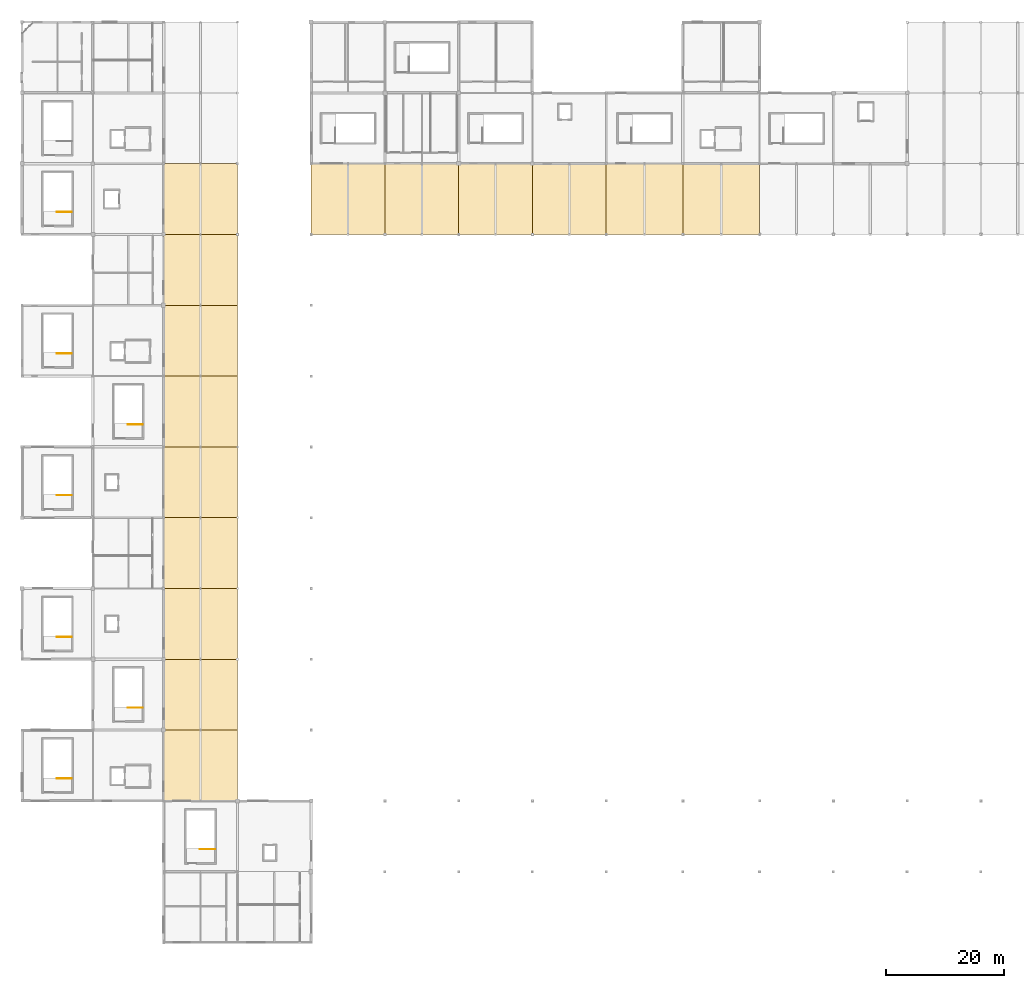
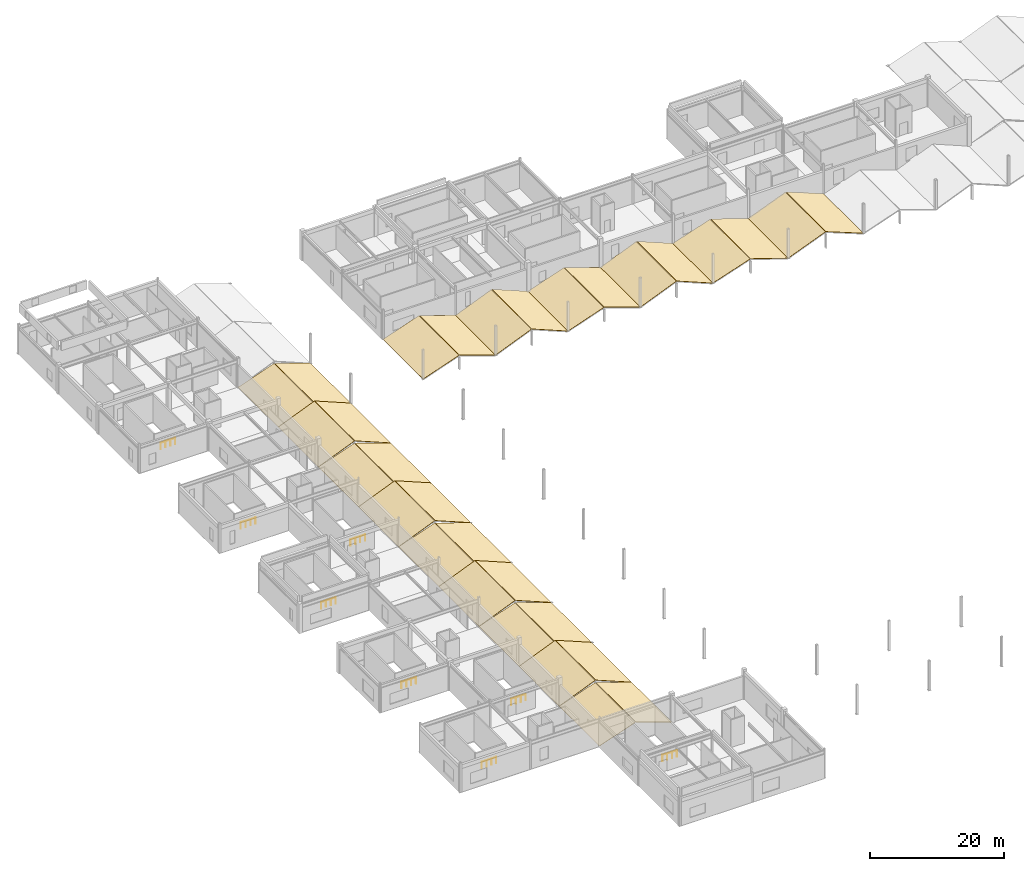
# One storey, part 73 of 76: 30 coverings, 8 railings.
"""IFC4 building model written with IfcOpenShell, lengths in metres."""

from ifc_helpers import new_model, si_unit, direction, frame, origin, origin_2d, place, context, subcontext, project, spatial, polyline, circle, outline, extrude, material, layer, layer_set, type_object, element, save


model = new_model("IFC4")

# Units and contexts
model_context = context("Model", 3, precision=1e-05, world=origin(), true_north=direction((0.0, 1.0)))
body_context = subcontext(model_context, "Body", "Model", "MODEL_VIEW")
ifc_project = project(units=[si_unit("LENGTHUNIT", "METRE"), si_unit("AREAUNIT", "SQUARE_METRE"), si_unit("VOLUMEUNIT", "CUBIC_METRE"), si_unit("PLANEANGLEUNIT", "RADIAN"), si_unit("MASSUNIT", "GRAM", prefix="KILO")], contexts=[model_context])

# Site, building, storey
site_placement = place(None, origin())
site = spatial("IfcSite", under=ifc_project, at=site_placement, CompositionType="ELEMENT")
building_placement = place(site_placement, origin())
building = spatial("IfcBuilding", under=site, at=building_placement, Name="Kazenohara Klinker Stadium", CompositionType="ELEMENT")
storey_placement = place(building_placement, frame((0.0, 0.0, 25.800048828125)))
storey = spatial("IfcBuildingStorey", under=building, at=storey_placement, Name="L05", CompositionType="ELEMENT", Elevation=25.800048828125)

# Coverings
ifc_material_1 = material(Name="Insulated standing-seam copper roofing", Category="metal")
ifc_layer_1 = layer(ifc_material_1, 0.050048828125)
ifc_layer_set_1 = layer_set([ifc_layer_1], Name="Insulated standing-seam copper roofing")
covering_type = type_object("IfcCoveringType", Name="COV-ROOF-01", PredefinedType="ROOFING", material=ifc_layer_set_1)
for number, where, z_axis, x_axis, name in (
    (1, (24.0, 36.0, -0.030029296875), (-0.327622925614, 0.0, 0.944808561886), (0.944808561886, 0.0, 0.327622925614), "Standing-seam copper stepped wing roofing L05-A 3/D"),
    (2, (30.300048828125, 36.0, 2.119873046875), (0.327622925614, 0.0, 0.944808561886), (0.944808561886, 0.0, -0.327622925614), "Standing-seam copper stepped wing roofing L05-B 3/D"),
):
    element("IfcCovering", number, at=place(storey_placement, frame(where, z_axis=z_axis, x_axis=x_axis)), inside=storey, type_object=covering_type, Name=name, PredefinedType="ROOFING", context=body_context, shape_type="SweptSolid", body=[
        extrude(outline(polyline([(0.0, 0.0), (6.5621242461032345, 0.0), (6.5621242461032345, 12.0), (0.0, 12.0), (0.0, 0.0)])), origin(), (0.0, 0.0, -1.0), 0.050048828125),
    ])
for number, where, z_axis, x_axis, name in (
    (3, (24.0, 48.0, -0.030029296875), (-0.380383442935, 0.0, 0.924828868678), (0.924828868678, 0.0, 0.380383442935), "Standing-seam copper stepped wing roofing L05-A 3/E"),
    (4, (30.300048828125, 48.0, 2.52001953125), (0.380383442935, 0.0, 0.924828868678), (0.924828868678, 0.0, -0.380383442935), "Standing-seam copper stepped wing roofing L05-B 3/E"),
):
    element("IfcCovering", number, at=place(storey_placement, frame(where, z_axis=z_axis, x_axis=x_axis)), inside=storey, type_object=covering_type, Name=name, PredefinedType="ROOFING", context=body_context, shape_type="SweptSolid", body=[
        extrude(outline(polyline([(0.0, 0.0), (6.703890181040846, 0.0), (6.703890181040846, 12.0), (0.0, 12.0), (0.0, 0.0)])), origin(), (0.0, 0.0, -1.0), 0.050048828125),
    ])
for number, where, z_axis, x_axis, name in (
    (5, (24.0, 60.0, -0.030029296875), (-0.327622925614, 0.0, 0.944808561886), (0.944808561886, 0.0, 0.327622925614), "Standing-seam copper stepped wing roofing L05-A 3/F"),
    (6, (30.300048828125, 60.0, 2.119873046875), (0.327622925614, 0.0, 0.944808561886), (0.944808561886, 0.0, -0.327622925614), "Standing-seam copper stepped wing roofing L05-B 3/F"),
):
    element("IfcCovering", number, at=place(storey_placement, frame(where, z_axis=z_axis, x_axis=x_axis)), inside=storey, type_object=covering_type, Name=name, PredefinedType="ROOFING", context=body_context, shape_type="SweptSolid", body=[
        extrude(outline(polyline([(0.0, 0.0), (6.5621242461032345, 0.0), (6.5621242461032345, 12.0), (0.0, 12.0), (0.0, 0.0)])), origin(), (0.0, 0.0, -1.0), 0.050048828125),
    ])
for number, where, z_axis, x_axis, name in (
    (7, (24.0, 72.0, -0.030029296875), (-0.380383442935, 0.0, 0.924828868678), (0.924828868678, 0.0, 0.380383442935), "Standing-seam copper stepped wing roofing L05-A 3/G"),
    (8, (30.300048828125, 72.0, 2.52001953125), (0.380383442935, 0.0, 0.924828868678), (0.924828868678, 0.0, -0.380383442935), "Standing-seam copper stepped wing roofing L05-B 3/G"),
):
    element("IfcCovering", number, at=place(storey_placement, frame(where, z_axis=z_axis, x_axis=x_axis)), inside=storey, type_object=covering_type, Name=name, PredefinedType="ROOFING", context=body_context, shape_type="SweptSolid", body=[
        extrude(outline(polyline([(0.0, 0.0), (6.703890181040846, 0.0), (6.703890181040846, 12.0), (0.0, 12.0), (0.0, 0.0)])), origin(), (0.0, 0.0, -1.0), 0.050048828125),
    ])
for number, where, z_axis, x_axis, name in (
    (9, (24.0, 84.0, -0.030029296875), (-0.327622925614, 0.0, 0.944808561886), (0.944808561886, 0.0, 0.327622925614), "Standing-seam copper stepped wing roofing L05-A 3/H"),
    (10, (30.300048828125, 84.0, 2.119873046875), (0.327622925614, 0.0, 0.944808561886), (0.944808561886, 0.0, -0.327622925614), "Standing-seam copper stepped wing roofing L05-B 3/H"),
):
    element("IfcCovering", number, at=place(storey_placement, frame(where, z_axis=z_axis, x_axis=x_axis)), inside=storey, type_object=covering_type, Name=name, PredefinedType="ROOFING", context=body_context, shape_type="SweptSolid", body=[
        extrude(outline(polyline([(0.0, 0.0), (6.5621242461032345, 0.0), (6.5621242461032345, 12.0), (0.0, 12.0), (0.0, 0.0)])), origin(), (0.0, 0.0, -1.0), 0.050048828125),
    ])
for number, where, z_axis, x_axis, name in (
    (11, (24.0, 96.0, -0.030029296875), (-0.380383442935, 0.0, 0.924828868678), (0.924828868678, 0.0, 0.380383442935), "Standing-seam copper stepped wing roofing L05-A 3/J"),
    (12, (30.300048828125, 96.0, 2.52001953125), (0.380383442935, 0.0, 0.924828868678), (0.924828868678, 0.0, -0.380383442935), "Standing-seam copper stepped wing roofing L05-B 3/J"),
):
    element("IfcCovering", number, at=place(storey_placement, frame(where, z_axis=z_axis, x_axis=x_axis)), inside=storey, type_object=covering_type, Name=name, PredefinedType="ROOFING", context=body_context, shape_type="SweptSolid", body=[
        extrude(outline(polyline([(0.0, 0.0), (6.703890181040846, 0.0), (6.703890181040846, 12.0), (0.0, 12.0), (0.0, 0.0)])), origin(), (0.0, 0.0, -1.0), 0.050048828125),
    ])
for number, where, z_axis, x_axis, name in (
    (13, (24.0, 108.0, -0.030029296875), (-0.327622925614, 0.0, 0.944808561886), (0.944808561886, 0.0, 0.327622925614), "Standing-seam copper stepped wing roofing L05-A 3/K"),
    (14, (30.300048828125, 108.0, 2.119873046875), (0.327622925614, 0.0, 0.944808561886), (0.944808561886, 0.0, -0.327622925614), "Standing-seam copper stepped wing roofing L05-B 3/K"),
):
    element("IfcCovering", number, at=place(storey_placement, frame(where, z_axis=z_axis, x_axis=x_axis)), inside=storey, type_object=covering_type, Name=name, PredefinedType="ROOFING", context=body_context, shape_type="SweptSolid", body=[
        extrude(outline(polyline([(0.0, 0.0), (6.5621242461032345, 0.0), (6.5621242461032345, 12.0), (0.0, 12.0), (0.0, 0.0)])), origin(), (0.0, 0.0, -1.0), 0.050048828125),
    ])
for number, where, z_axis, x_axis, name in (
    (15, (24.0, 120.0, -0.030029296875), (-0.380383442935, 0.0, 0.924828868678), (0.924828868678, 0.0, 0.380383442935), "Standing-seam copper stepped wing roofing L05-A 3/L"),
    (16, (30.300048828125, 120.0, 2.52001953125), (0.380383442935, 0.0, 0.924828868678), (0.924828868678, 0.0, -0.380383442935), "Standing-seam copper stepped wing roofing L05-B 3/L"),
):
    element("IfcCovering", number, at=place(storey_placement, frame(where, z_axis=z_axis, x_axis=x_axis)), inside=storey, type_object=covering_type, Name=name, PredefinedType="ROOFING", context=body_context, shape_type="SweptSolid", body=[
        extrude(outline(polyline([(0.0, 0.0), (6.703890181040846, 0.0), (6.703890181040846, 12.0), (0.0, 12.0), (0.0, 0.0)])), origin(), (0.0, 0.0, -1.0), 0.050048828125),
    ])
for number, where, z_axis, x_axis, name in (
    (17, (24.0, 132.0, -0.030029296875), (-0.327622925614, 0.0, 0.944808561886), (0.944808561886, 0.0, 0.327622925614), "Standing-seam copper stepped wing roofing L05-A 3/M"),
    (18, (30.300048828125, 132.0, 2.119873046875), (0.327622925614, 0.0, 0.944808561886), (0.944808561886, 0.0, -0.327622925614), "Standing-seam copper stepped wing roofing L05-B 3/M"),
    (19, (49.0, 132.0, -0.030029296875), (-0.327622925614, 0.0, 0.944808561886), (0.944808561886, 0.0, 0.327622925614), "Standing-seam copper stepped wing roofing L05-A 5/M"),
    (20, (55.300048828125, 132.0, 2.119873046875), (0.327622925614, 0.0, 0.944808561886), (0.944808561886, 0.0, -0.327622925614), "Standing-seam copper stepped wing roofing L05-B 5/M"),
):
    element("IfcCovering", number, at=place(storey_placement, frame(where, z_axis=z_axis, x_axis=x_axis)), inside=storey, type_object=covering_type, Name=name, PredefinedType="ROOFING", context=body_context, shape_type="SweptSolid", body=[
        extrude(outline(polyline([(0.0, 0.0), (6.5621242461032345, 0.0), (6.5621242461032345, 12.0), (0.0, 12.0), (0.0, 0.0)])), origin(), (0.0, 0.0, -1.0), 0.050048828125),
    ])
for number, where, z_axis, x_axis, name in (
    (21, (61.5, 132.0, -0.030029296875), (-0.380383442935, 0.0, 0.924828868678), (0.924828868678, 0.0, 0.380383442935), "Standing-seam copper stepped wing roofing L05-A 6/M"),
    (22, (67.800048828125, 132.0, 2.52001953125), (0.380383442935, 0.0, 0.924828868678), (0.924828868678, 0.0, -0.380383442935), "Standing-seam copper stepped wing roofing L05-B 6/M"),
):
    element("IfcCovering", number, at=place(storey_placement, frame(where, z_axis=z_axis, x_axis=x_axis)), inside=storey, type_object=covering_type, Name=name, PredefinedType="ROOFING", context=body_context, shape_type="SweptSolid", body=[
        extrude(outline(polyline([(0.0, 0.0), (6.703890181040846, 0.0), (6.703890181040846, 12.0), (0.0, 12.0), (0.0, 0.0)])), origin(), (0.0, 0.0, -1.0), 0.050048828125),
    ])
for number, where, z_axis, x_axis, name in (
    (23, (74.0, 132.0, -0.030029296875), (-0.327622925614, 0.0, 0.944808561886), (0.944808561886, 0.0, 0.327622925614), "Standing-seam copper stepped wing roofing L05-A 7/M"),
    (24, (80.300048828125, 132.0, 2.119873046875), (0.327622925614, 0.0, 0.944808561886), (0.944808561886, 0.0, -0.327622925614), "Standing-seam copper stepped wing roofing L05-B 7/M"),
):
    element("IfcCovering", number, at=place(storey_placement, frame(where, z_axis=z_axis, x_axis=x_axis)), inside=storey, type_object=covering_type, Name=name, PredefinedType="ROOFING", context=body_context, shape_type="SweptSolid", body=[
        extrude(outline(polyline([(0.0, 0.0), (6.5621242461032345, 0.0), (6.5621242461032345, 12.0), (0.0, 12.0), (0.0, 0.0)])), origin(), (0.0, 0.0, -1.0), 0.050048828125),
    ])
for number, where, z_axis, x_axis, name in (
    (25, (86.5, 132.0, -0.030029296875), (-0.380383442935, 0.0, 0.924828868678), (0.924828868678, 0.0, 0.380383442935), "Standing-seam copper stepped wing roofing L05-A 8/M"),
    (26, (92.800048828125, 132.0, 2.52001953125), (0.380383442935, 0.0, 0.924828868678), (0.924828868678, 0.0, -0.380383442935), "Standing-seam copper stepped wing roofing L05-B 8/M"),
):
    element("IfcCovering", number, at=place(storey_placement, frame(where, z_axis=z_axis, x_axis=x_axis)), inside=storey, type_object=covering_type, Name=name, PredefinedType="ROOFING", context=body_context, shape_type="SweptSolid", body=[
        extrude(outline(polyline([(0.0, 0.0), (6.703890181040846, 0.0), (6.703890181040846, 12.0), (0.0, 12.0), (0.0, 0.0)])), origin(), (0.0, 0.0, -1.0), 0.050048828125),
    ])
for number, where, z_axis, x_axis, name in (
    (27, (99.0, 132.0, -0.030029296875), (-0.316216993217, 0.0, 0.948686888916), (0.948686888916, 0.0, 0.316216993217), "Standing-seam copper stepped wing roofing L05-A 9/M"),
    (28, (105.550048828125, 132.0, 2.119873046875), (0.316216993217, 0.0, 0.948686888916), (0.948686888916, 0.0, -0.316216993217), "Standing-seam copper stepped wing roofing L05-B 9/M"),
):
    element("IfcCovering", number, at=place(storey_placement, frame(where, z_axis=z_axis, x_axis=x_axis)), inside=storey, type_object=covering_type, Name=name, PredefinedType="ROOFING", context=body_context, shape_type="SweptSolid", body=[
        extrude(outline(polyline([(0.0, 0.0), (6.7988197657559235, 0.0), (6.7988197657559235, 12.0), (0.0, 12.0), (0.0, 0.0)])), origin(), (0.0, 0.0, -1.0), 0.050048828125),
    ])
for number, where, z_axis, x_axis, name in (
    (29, (112.0, 132.0, -0.030029296875), (-0.36766738485, 0.0, 0.929957361451), (0.929957361451, 0.0, 0.36766738485), "Standing-seam copper stepped wing roofing L05-A 10/M"),
    (30, (118.550048828125, 132.0, 2.52001953125), (0.36766738485, 0.0, 0.929957361451), (0.929957361451, 0.0, -0.36766738485), "Standing-seam copper stepped wing roofing L05-B 10/M"),
):
    element("IfcCovering", number, at=place(storey_placement, frame(where, z_axis=z_axis, x_axis=x_axis)), inside=storey, type_object=covering_type, Name=name, PredefinedType="ROOFING", context=body_context, shape_type="SweptSolid", body=[
        extrude(outline(polyline([(0.0, 0.0), (6.935749357163461, 0.0), (6.935749357163461, 12.0), (0.0, 12.0), (0.0, 0.0)])), origin(), (0.0, 0.0, -1.0), 0.050048828125),
    ])

# Railings
ifc_material_2 = material(Name="Painted steel stairwell guardrail", Category="steel")
ifc_layer_2 = layer(ifc_material_2, 0.06005859375)
ifc_layer_set_2 = layer_set([ifc_layer_2], Name="Painted steel stairwell guardrail")
railing_type = type_object("IfcRailingType", Name="RL-STG-1120", PredefinedType="GUARDRAIL", material=ifc_layer_set_2)
railing_1_placement = place(storey_placement, frame((8.39990234375, 39.7900390625, 0.0)))
element("IfcRailing", 31, at=railing_1_placement, inside=storey, type_object=railing_type, Name="L05 ST01 top well guard 1", PredefinedType="GUARDRAIL", context=body_context, shape_type="SweptSolid", body=[
    extrude(circle(Radius=0.02392578125, at=origin_2d()), frame((0.0, 0.0, 1.1259765625), z_axis=(-1.0, 0.0, 0.0), x_axis=(0.0, -1.0, 0.0)), (0.0, 0.0, 1.0), 2.5),
    extrude(circle(Radius=0.02099609375, at=origin_2d()), origin(), (0.0, 0.0, 1.0), 1.101806640625),
    extrude(circle(Radius=0.02099609375, at=origin_2d()), frame((-0.833251953125, 0.0, 0.0)), (0.0, 0.0, 1.0), 1.101806640625),
    extrude(circle(Radius=0.02099609375, at=origin_2d()), frame((-1.666748046875, 0.0, 0.0)), (0.0, 0.0, 1.0), 1.101806640625),
    extrude(circle(Radius=0.02099609375, at=origin_2d()), frame((-2.5, 0.0, 0.0)), (0.0, 0.0, 1.0), 1.101806640625),
])
railing_2_placement = place(storey_placement, frame((8.409912109375, 63.800048828125, 0.0)))
element("IfcRailing", 32, at=railing_2_placement, inside=storey, type_object=railing_type, Name="L05 ST02 top well guard 1", PredefinedType="GUARDRAIL", context=body_context, shape_type="SweptSolid", body=[
    extrude(circle(Radius=0.02392578125, at=origin_2d()), frame((0.0, 0.0, 1.1259765625), z_axis=(-1.0, 0.0, 0.0), x_axis=(0.0, -1.0, 0.0)), (0.0, 0.0, 1.0), 2.510009765625),
    extrude(circle(Radius=0.02099609375, at=origin_2d()), origin(), (0.0, 0.0, 1.0), 1.101806640625),
    extrude(circle(Radius=0.02099609375, at=origin_2d()), frame((-0.836669921875, 0.0, 0.0)), (0.0, 0.0, 1.0), 1.101806640625),
    extrude(circle(Radius=0.02099609375, at=origin_2d()), frame((-1.67333984375, 0.0, 0.0)), (0.0, 0.0, 1.0), 1.101806640625),
    extrude(circle(Radius=0.02099609375, at=origin_2d()), frame((-2.510009765625, 0.0, 0.0)), (0.0, 0.0, 1.0), 1.101806640625),
])
railing_3_placement = place(storey_placement, frame((8.429931640625, 87.820068359375, 0.0)))
element("IfcRailing", 33, at=railing_3_placement, inside=storey, type_object=railing_type, Name="L05 ST03 top well guard 1", PredefinedType="GUARDRAIL", context=body_context, shape_type="SweptSolid", body=[
    extrude(circle(Radius=0.02392578125, at=origin_2d()), frame((0.0, 0.0, 1.1259765625), z_axis=(-1.0, 0.0, 0.0), x_axis=(0.0, -1.0, 0.0)), (0.0, 0.0, 1.0), 2.530029296875),
    extrude(circle(Radius=0.02099609375, at=origin_2d()), origin(), (0.0, 0.0, 1.0), 1.101806640625),
    extrude(circle(Radius=0.02099609375, at=origin_2d()), frame((-0.84326171875, 0.0, 0.0)), (0.0, 0.0, 1.0), 1.101806640625),
    extrude(circle(Radius=0.02099609375, at=origin_2d()), frame((-1.686767578125, 0.0, 0.0)), (0.0, 0.0, 1.0), 1.101806640625),
    extrude(circle(Radius=0.02099609375, at=origin_2d()), frame((-2.530029296875, 0.0, 0.0)), (0.0, 0.0, 1.0), 1.101806640625),
])
railing_4_placement = place(storey_placement, frame((8.43994140625, 111.830078125, 0.0)))
element("IfcRailing", 34, at=railing_4_placement, inside=storey, type_object=railing_type, Name="L05 ST04 top well guard 1", PredefinedType="GUARDRAIL", context=body_context, shape_type="SweptSolid", body=[
    extrude(circle(Radius=0.02392578125, at=origin_2d()), frame((0.0, 0.0, 1.1259765625), z_axis=(-1.0, 0.0, 0.0), x_axis=(0.0, -1.0, 0.0)), (0.0, 0.0, 1.0), 2.5400390625),
    extrude(circle(Radius=0.02099609375, at=origin_2d()), origin(), (0.0, 0.0, 1.0), 1.101806640625),
    extrude(circle(Radius=0.02099609375, at=origin_2d()), frame((-0.8466796875, 0.0, 0.0)), (0.0, 0.0, 1.0), 1.101806640625),
    extrude(circle(Radius=0.02099609375, at=origin_2d()), frame((-1.693359375, 0.0, 0.0)), (0.0, 0.0, 1.0), 1.101806640625),
    extrude(circle(Radius=0.02099609375, at=origin_2d()), frame((-2.5400390625, 0.0, 0.0)), (0.0, 0.0, 1.0), 1.101806640625),
])
railing_5_placement = place(storey_placement, frame((8.39990234375, 135.7900390625, 0.0)))
element("IfcRailing", 35, at=railing_5_placement, inside=storey, type_object=railing_type, Name="L05 ST05 top well guard 1", PredefinedType="GUARDRAIL", context=body_context, shape_type="SweptSolid", body=[
    extrude(circle(Radius=0.02392578125, at=origin_2d()), frame((0.0, 0.0, 1.1259765625), z_axis=(-1.0, 0.0, 0.0), x_axis=(0.0, -1.0, 0.0)), (0.0, 0.0, 1.0), 2.5),
    extrude(circle(Radius=0.02099609375, at=origin_2d()), origin(), (0.0, 0.0, 1.0), 1.101806640625),
    extrude(circle(Radius=0.02099609375, at=origin_2d()), frame((-0.833251953125, 0.0, 0.0)), (0.0, 0.0, 1.0), 1.101806640625),
    extrude(circle(Radius=0.02099609375, at=origin_2d()), frame((-1.666748046875, 0.0, 0.0)), (0.0, 0.0, 1.0), 1.101806640625),
    extrude(circle(Radius=0.02099609375, at=origin_2d()), frame((-2.5, 0.0, 0.0)), (0.0, 0.0, 1.0), 1.101806640625),
])
railing_6_placement = place(storey_placement, frame((32.679931640625, 27.820068359375, 0.0)))
element("IfcRailing", 36, at=railing_6_placement, inside=storey, type_object=railing_type, Name="L05 ST07 top well guard 1", PredefinedType="GUARDRAIL", context=body_context, shape_type="SweptSolid", body=[
    extrude(circle(Radius=0.02392578125, at=origin_2d()), frame((0.0, 0.0, 1.1259765625), z_axis=(-1.0, 0.0, 0.0), x_axis=(0.0, -1.0, 0.0)), (0.0, 0.0, 1.0), 2.530029296875),
    extrude(circle(Radius=0.02099609375, at=origin_2d()), origin(), (0.0, 0.0, 1.0), 1.101806640625),
    extrude(circle(Radius=0.02099609375, at=origin_2d()), frame((-0.84326171875, 0.0, 0.0)), (0.0, 0.0, 1.0), 1.101806640625),
    extrude(circle(Radius=0.02099609375, at=origin_2d()), frame((-1.686767578125, 0.0, 0.0)), (0.0, 0.0, 1.0), 1.101806640625),
    extrude(circle(Radius=0.02099609375, at=origin_2d()), frame((-2.530029296875, 0.0, 0.0)), (0.0, 0.0, 1.0), 1.101806640625),
])
railing_7_placement = place(storey_placement, frame((20.39990234375, 51.7900390625, 0.0)))
element("IfcRailing", 37, at=railing_7_placement, inside=storey, type_object=railing_type, Name="L05 ST13 top well guard 1", PredefinedType="GUARDRAIL", context=body_context, shape_type="SweptSolid", body=[
    extrude(circle(Radius=0.02392578125, at=origin_2d()), frame((0.0, 0.0, 1.1259765625), z_axis=(-1.0, 0.0, 0.0), x_axis=(0.0, -1.0, 0.0)), (0.0, 0.0, 1.0), 2.5),
    extrude(circle(Radius=0.02099609375, at=origin_2d()), origin(), (0.0, 0.0, 1.0), 1.101806640625),
    extrude(circle(Radius=0.02099609375, at=origin_2d()), frame((-0.833251953125, 0.0, 0.0)), (0.0, 0.0, 1.0), 1.101806640625),
    extrude(circle(Radius=0.02099609375, at=origin_2d()), frame((-1.666748046875, 0.0, 0.0)), (0.0, 0.0, 1.0), 1.101806640625),
    extrude(circle(Radius=0.02099609375, at=origin_2d()), frame((-2.5, 0.0, 0.0)), (0.0, 0.0, 1.0), 1.101806640625),
])
railing_8_placement = place(storey_placement, frame((20.409912109375, 99.800048828125, 0.0)))
element("IfcRailing", 38, at=railing_8_placement, inside=storey, type_object=railing_type, Name="L05 ST14 top well guard 1", PredefinedType="GUARDRAIL", context=body_context, shape_type="SweptSolid", body=[
    extrude(circle(Radius=0.02392578125, at=origin_2d()), frame((0.0, 0.0, 1.1259765625), z_axis=(-1.0, 0.0, 0.0), x_axis=(0.0, -1.0, 0.0)), (0.0, 0.0, 1.0), 2.510009765625),
    extrude(circle(Radius=0.02099609375, at=origin_2d()), origin(), (0.0, 0.0, 1.0), 1.101806640625),
    extrude(circle(Radius=0.02099609375, at=origin_2d()), frame((-0.836669921875, 0.0, 0.0)), (0.0, 0.0, 1.0), 1.101806640625),
    extrude(circle(Radius=0.02099609375, at=origin_2d()), frame((-1.67333984375, 0.0, 0.0)), (0.0, 0.0, 1.0), 1.101806640625),
    extrude(circle(Radius=0.02099609375, at=origin_2d()), frame((-2.510009765625, 0.0, 0.0)), (0.0, 0.0, 1.0), 1.101806640625),
])

save(model, "model.ifc")
